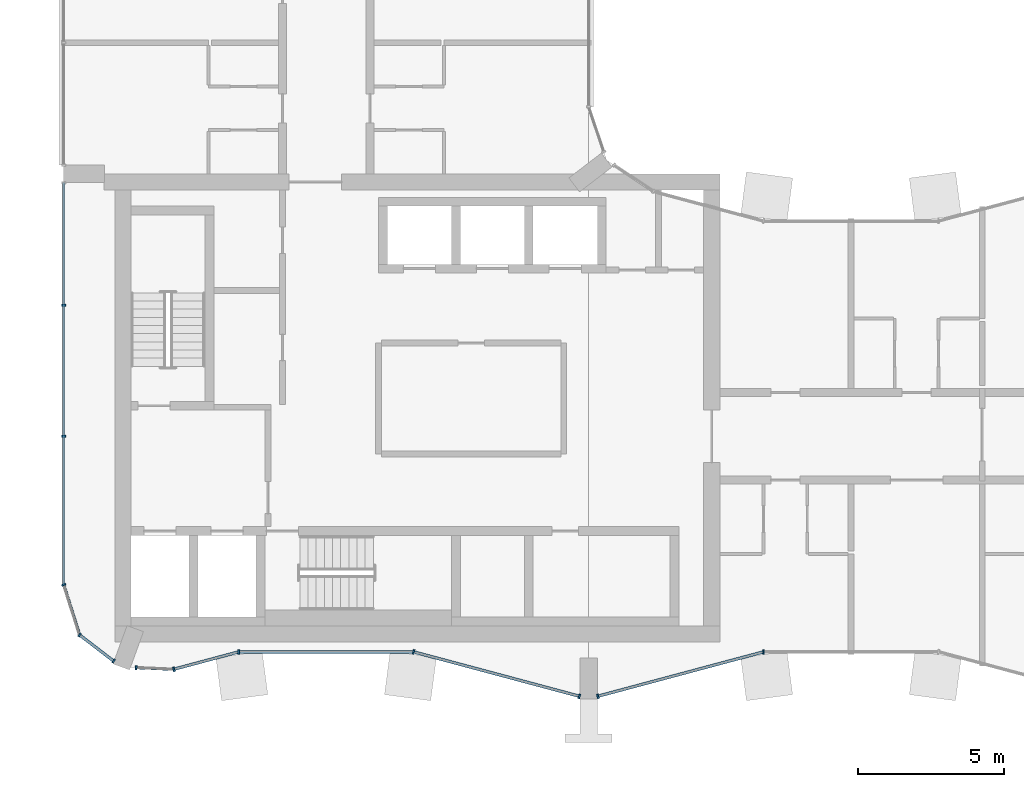
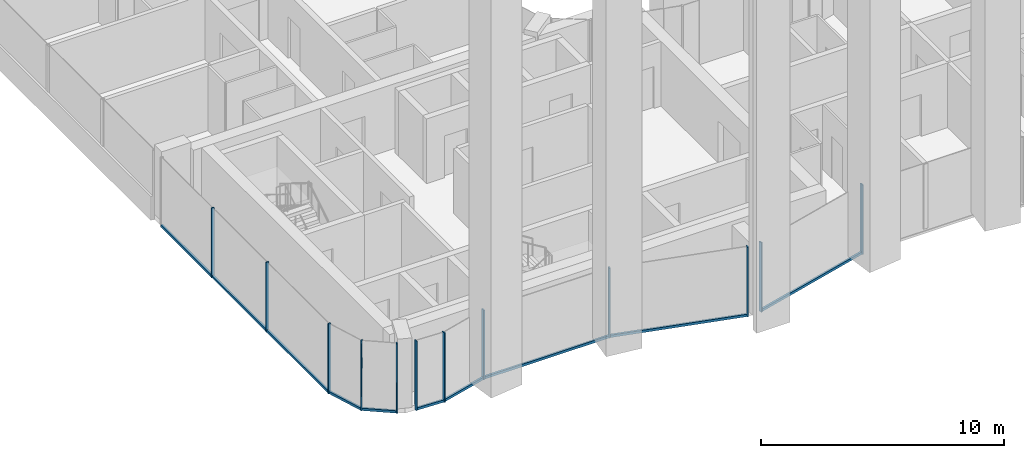
# One storey, part 2 of 17: 20 members, 9 elements without a shape of their own.
"""IFC4 building model written with IfcOpenShell, lengths in metres."""

from ifc_helpers import new_model, si_unit, direction, frame, origin, origin_2d, place, context, subcontext, project, spatial, rectangle, extrude, material, layer, layer_set, material_profile, profile_set, type_object, element, aggregate, save


model = new_model("IFC4")

# Units and contexts
model_context = context("Model", 3, precision=1e-05, world=origin(), true_north=direction((0.0, 1.0)))
body_context = subcontext(model_context, "Body", "Model", "MODEL_VIEW")
ifc_project = project(units=[si_unit("LENGTHUNIT", "METRE"), si_unit("AREAUNIT", "SQUARE_METRE"), si_unit("VOLUMEUNIT", "CUBIC_METRE"), si_unit("PLANEANGLEUNIT", "RADIAN"), si_unit("MASSUNIT", "GRAM", prefix="KILO")], contexts=[model_context])

# Site, building, storey
site_placement = place(None, origin())
site = spatial("IfcSite", under=ifc_project, at=site_placement, CompositionType="ELEMENT")
building_placement = place(site_placement, origin())
building = spatial("IfcBuilding", under=site, at=building_placement, Name="Plateau Cross Towers", CompositionType="ELEMENT")
storey_placement = place(building_placement, frame((0.0, 0.0, 190.89990234375)))
storey = spatial("IfcBuildingStorey", under=building, at=storey_placement, Name="L49", CompositionType="ELEMENT", Elevation=190.89990234375)

# Curtain wall, members
ifc_material_1 = material(Name="Dark low-iron glass", Category="glass")
ifc_layer_1 = layer(ifc_material_1, 0.239990234375)
ifc_layer_set_1 = layer_set([ifc_layer_1], Name="Dark low-iron glass")
curtain_wall_type_1 = type_object("IfcCurtainWallType", Name="Curtain wall flush unitised CW-B", PredefinedType="NOTDEFINED", material=ifc_layer_set_1)
curtain_wall_1_placement = place(storey_placement, origin())
curtain_wall_1 = element("IfcCurtainWall", 1, at=curtain_wall_1_placement, inside=storey, type_object=curtain_wall_type_1, Name="ENV/A/L49/A0_177", PredefinedType="NOTDEFINED")
ifc_material_2 = material(Name="Black anodised aluminium", Category="aluminium")
ifc_material_profile_1 = material_profile(ifc_material_2, rectangle(XDim=0.06005859375, YDim=0.139892578125, at=origin_2d()), Name="MULLION 60x140")
ifc_profile_set_1 = profile_set([ifc_material_profile_1], Name="Black anodised aluminium")
member_type_1 = type_object("IfcMemberType", Name="Mullion 60x140 flush unitised", PredefinedType="MULLION", material=ifc_profile_set_1)
member_1_placement = place(storey_placement, frame((0.0, 13.5, -0.25), z_axis=(0.0, 0.0, 1.0), x_axis=(0.0, -1.0, 0.0)))
member_1 = element("IfcMember", 2, at=member_1_placement, type_object=member_type_1, Name="CW-B mullion 2", PredefinedType="MULLION", context=body_context, shape_type="SweptSolid", body=[
    extrude(rectangle(XDim=0.06005859375, YDim=0.139892578125, at=origin_2d()), origin(), (0.0, 0.0, 1.0), 3.5),
])
member_2_placement = place(storey_placement, frame((0.0, 9.0, -0.25), z_axis=(0.0, 0.0, 1.0), x_axis=(0.0, -1.0, 0.0)))
member_2 = element("IfcMember", 3, at=member_2_placement, type_object=member_type_1, Name="CW-B mullion 3", PredefinedType="MULLION", context=body_context, shape_type="SweptSolid", body=[
    extrude(rectangle(XDim=0.06005859375, YDim=0.139892578125, at=origin_2d()), origin(), (0.0, 0.0, 1.0), 3.5),
])

# Curtain wall, member
curtain_wall_2_placement = place(storey_placement, origin())
curtain_wall_2 = element("IfcCurtainWall", 4, at=curtain_wall_2_placement, inside=storey, type_object=curtain_wall_type_1, Name="ENV/A/L49/A0_39", PredefinedType="NOTDEFINED")
member_3_placement = place(storey_placement, frame((0.0, 3.9091796875, -0.25), z_axis=(0.0, 0.0, 1.0), x_axis=(0.300686174994, -0.95372313811, 0.0)))
member_3 = element("IfcMember", 5, at=member_3_placement, type_object=member_type_1, Name="CW-B mullion 1", PredefinedType="MULLION", context=body_context, shape_type="SweptSolid", body=[
    extrude(rectangle(XDim=0.06005859375, YDim=0.139892578125, at=origin_2d()), origin(), (0.0, 0.0, 1.0), 3.5),
])

# Curtain wall, members
curtain_wall_3_placement = place(storey_placement, origin())
curtain_wall_3 = element("IfcCurtainWall", 6, at=curtain_wall_3_placement, inside=storey, type_object=curtain_wall_type_1, Name="ENV/A/L49/A5_22", PredefinedType="NOTDEFINED")
member_4_placement = place(storey_placement, frame((0.54248046875, 2.1884765625, -0.25), z_axis=(0.0, 0.0, 1.0), x_axis=(0.793315514529, -0.608810721331, 0.0)))
member_4 = element("IfcMember", 7, at=member_4_placement, type_object=member_type_1, Name="CW-B mullion 1", PredefinedType="MULLION", context=body_context, shape_type="SweptSolid", body=[
    extrude(rectangle(XDim=0.06005859375, YDim=0.139892578125, at=origin_2d()), origin(), (0.0, 0.0, 1.0), 3.5),
])
member_5_placement = place(storey_placement, frame((1.709716796875, 1.292724609375, -0.25), z_axis=(0.0, 0.0, 1.0), x_axis=(0.793315514529, -0.608810721331, 0.0)))
member_5 = element("IfcMember", 8, at=member_5_placement, type_object=member_type_1, Name="CW-B mullion 2", PredefinedType="MULLION", context=body_context, shape_type="SweptSolid", body=[
    extrude(rectangle(XDim=0.06005859375, YDim=0.139892578125, at=origin_2d()), origin(), (0.0, 0.0, 1.0), 3.5),
])

# Curtain wall, member
curtain_wall_4_placement = place(storey_placement, origin())
curtain_wall_4 = element("IfcCurtainWall", 9, at=curtain_wall_4_placement, inside=storey, type_object=curtain_wall_type_1, Name="ENV/A/L49/A25_11", PredefinedType="NOTDEFINED")
member_6_placement = place(storey_placement, frame((2.483642578125, 1.06787109375, -0.25), z_axis=(0.0, 0.0, 1.0), x_axis=(0.999043701491, -0.043722791671, 0.0)))
member_6 = element("IfcMember", 10, at=member_6_placement, type_object=member_type_1, Name="CW-B mullion 1", PredefinedType="MULLION", context=body_context, shape_type="SweptSolid", body=[
    extrude(rectangle(XDim=0.06005859375, YDim=0.139892578125, at=origin_2d()), origin(), (0.0, 0.0, 1.0), 3.5),
])

ifc_layer_2 = layer(ifc_material_1, 0.260009765625)
ifc_layer_set_2 = layer_set([ifc_layer_2], Name="Dark low-iron glass")
curtain_wall_type_2 = type_object("IfcCurtainWallType", Name="Curtain wall fluted unitised CW-A", PredefinedType="NOTDEFINED", material=ifc_layer_set_2)
curtain_wall_5_placement = place(storey_placement, origin())
curtain_wall_5 = element("IfcCurtainWall", 11, at=curtain_wall_5_placement, inside=storey, type_object=curtain_wall_type_2, Name="ENV/A/L49/A38_10", PredefinedType="NOTDEFINED")
ifc_material_profile_2 = material_profile(ifc_material_2, rectangle(XDim=0.06005859375, YDim=0.159912109375, at=origin_2d()), Name="MULLION 60x160")
ifc_profile_set_2 = profile_set([ifc_material_profile_2], Name="Black anodised aluminium")
member_type_2 = type_object("IfcMemberType", Name="Mullion 60x160 fluted unitised", PredefinedType="MULLION", material=ifc_profile_set_2)
member_7_placement = place(storey_placement, frame((3.776123046875, 1.01123046875, -0.25), z_axis=(0.0, 0.0, 1.0), x_axis=(0.965957962328, 0.258699081978, 0.0)))
member_7 = element("IfcMember", 12, at=member_7_placement, type_object=member_type_2, Name="CW-A mullion 1", PredefinedType="MULLION", context=body_context, shape_type="SweptSolid", body=[
    extrude(rectangle(XDim=0.06005859375, YDim=0.159912109375, at=origin_2d()), origin(), (0.0, 0.0, 1.0), 3.5),
])

curtain_wall_6_placement = place(storey_placement, origin())
curtain_wall_6 = element("IfcCurtainWall", 13, at=curtain_wall_6_placement, inside=storey, type_object=curtain_wall_type_2, Name="ENV/A/L49/A60_16", PredefinedType="NOTDEFINED")
member_8_placement = place(storey_placement, frame((6.0, 1.60693359375, -0.25), z_axis=(0.0, 0.0, 1.0), x_axis=(1.0, 0.0, 0.0)))
member_8 = element("IfcMember", 14, at=member_8_placement, type_object=member_type_2, Name="CW-A mullion 1", PredefinedType="MULLION", context=body_context, shape_type="SweptSolid", body=[
    extrude(rectangle(XDim=0.06005859375, YDim=0.159912109375, at=origin_2d()), origin(), (0.0, 0.0, 1.0), 3.5),
])

# Curtain wall, members
curtain_wall_7_placement = place(storey_placement, origin())
curtain_wall_7 = element("IfcCurtainWall", 15, at=curtain_wall_7_placement, inside=storey, type_object=curtain_wall_type_2, Name="ENV/A/L49/A120_16", PredefinedType="NOTDEFINED")
member_9_placement = place(storey_placement, frame((12.0, 1.60693359375, -0.25), z_axis=(0.0, 0.0, 1.0), x_axis=(0.965957983404, -0.258699003279, 0.0)))
member_9 = element("IfcMember", 16, at=member_9_placement, type_object=member_type_2, Name="CW-A mullion 1", PredefinedType="MULLION", context=body_context, shape_type="SweptSolid", body=[
    extrude(rectangle(XDim=0.06005859375, YDim=0.159912109375, at=origin_2d()), origin(), (0.0, 0.0, 1.0), 3.5),
])
member_10_placement = place(storey_placement, frame((17.68212890625, 0.085205078125, -0.25), z_axis=(0.0, 0.0, 1.0), x_axis=(0.965957983404, -0.258699003279, 0.0)))
member_10 = element("IfcMember", 17, at=member_10_placement, type_object=member_type_2, Name="CW-A mullion 2", PredefinedType="MULLION", context=body_context, shape_type="SweptSolid", body=[
    extrude(rectangle(XDim=0.06005859375, YDim=0.159912109375, at=origin_2d()), origin(), (0.0, 0.0, 1.0), 3.5),
])

# Curtain wall, member
curtain_wall_8_placement = place(storey_placement, origin())
curtain_wall_8 = element("IfcCurtainWall", 18, at=curtain_wall_8_placement, inside=storey, type_object=curtain_wall_type_2, Name="ENV/A/L49/A183_1", PredefinedType="NOTDEFINED")
member_11_placement = place(storey_placement, frame((18.31787109375, 0.085205078125, -0.25), z_axis=(0.0, 0.0, 1.0), x_axis=(0.965957983404, 0.258699003279, 0.0)))
member_11 = element("IfcMember", 19, at=member_11_placement, type_object=member_type_2, Name="CW-A mullion 1", PredefinedType="MULLION", context=body_context, shape_type="SweptSolid", body=[
    extrude(rectangle(XDim=0.06005859375, YDim=0.159912109375, at=origin_2d()), origin(), (0.0, 0.0, 1.0), 3.5),
])

curtain_wall_9_placement = place(storey_placement, origin())
curtain_wall_9 = element("IfcCurtainWall", 20, at=curtain_wall_9_placement, inside=storey, type_object=curtain_wall_type_2, Name="ENV/A/L49/A240_16", PredefinedType="NOTDEFINED")
member_12_placement = place(storey_placement, frame((24.0, 1.60693359375, -0.25), z_axis=(0.0, 0.0, 1.0), x_axis=(1.0, 0.0, 0.0)))
member_12 = element("IfcMember", 21, at=member_12_placement, type_object=member_type_2, Name="CW-A mullion 1", PredefinedType="MULLION", context=body_context, shape_type="SweptSolid", body=[
    extrude(rectangle(XDim=0.06005859375, YDim=0.159912109375, at=origin_2d()), origin(), (0.0, 0.0, 1.0), 3.5),
])
aggregate(curtain_wall_9, [member_12])

# Member
ifc_material_profile_3 = material_profile(ifc_material_2, rectangle(XDim=0.10009765625, YDim=0.1201171875, at=origin_2d()), Name="TRANSOM 100x120")
ifc_profile_set_3 = profile_set([ifc_material_profile_3], Name="Black anodised aluminium")
member_type_3 = type_object("IfcMemberType", Name="Transom 100x120 flush unitised", PredefinedType="USERDEFINED", material=ifc_profile_set_3)
member_13_placement = place(storey_placement, frame((0.0, 17.699951171875, -0.18994140625), z_axis=(0.0, -1.0, 0.0), x_axis=(1.0, 0.0, 0.0)))
member_13 = element("IfcMember", 22, at=member_13_placement, type_object=member_type_3, Name="CW-B transom", ObjectType="TRANSOM", PredefinedType="USERDEFINED", context=body_context, shape_type="SweptSolid", body=[
    extrude(rectangle(XDim=0.10009765625, YDim=0.1201171875, at=origin_2d()), origin(), (0.0, 0.0, 1.0), 13.790771484375),
])

aggregate(curtain_wall_1, [member_1, member_2, member_13])

member_14_placement = place(storey_placement, frame((0.0, 3.9091796875, -0.18994140625), z_axis=(0.30067799945, -0.953725715626, 0.0), x_axis=(0.953725715626, 0.30067799945, 0.0)))
member_14 = element("IfcMember", 23, at=member_14_placement, type_object=member_type_3, Name="CW-B transom", ObjectType="TRANSOM", PredefinedType="USERDEFINED", context=body_context, shape_type="SweptSolid", body=[
    extrude(rectangle(XDim=0.10009765625, YDim=0.1201171875, at=origin_2d()), origin(), (0.0, 0.0, 1.0), 1.80419921875),
])

aggregate(curtain_wall_2, [member_3, member_14])

member_15_placement = place(storey_placement, frame((0.54248046875, 2.1884765625, -0.18994140625), z_axis=(0.793320508571, -0.608804213751, 0.0), x_axis=(0.608804213751, 0.793320508571, 0.0)))
member_15 = element("IfcMember", 24, at=member_15_placement, type_object=member_type_3, Name="CW-B transom", ObjectType="TRANSOM", PredefinedType="USERDEFINED", context=body_context, shape_type="SweptSolid", body=[
    extrude(rectangle(XDim=0.10009765625, YDim=0.1201171875, at=origin_2d()), origin(), (0.0, 0.0, 1.0), 1.471435546875),
])

aggregate(curtain_wall_3, [member_4, member_5, member_15])

member_16_placement = place(storey_placement, frame((2.483642578125, 1.06787109375, -0.18994140625), z_axis=(0.999041144614, -0.043781175963, 0.0), x_axis=(0.043781175963, 0.999041144614, 0.0)))
member_16 = element("IfcMember", 25, at=member_16_placement, type_object=member_type_3, Name="CW-B transom", ObjectType="TRANSOM", PredefinedType="USERDEFINED", context=body_context, shape_type="SweptSolid", body=[
    extrude(rectangle(XDim=0.10009765625, YDim=0.1201171875, at=origin_2d()), origin(), (0.0, 0.0, 1.0), 1.293701171875),
])

aggregate(curtain_wall_4, [member_6, member_16])

ifc_material_profile_4 = material_profile(ifc_material_2, rectangle(XDim=0.10009765625, YDim=0.1201171875, at=origin_2d()), Name="TRANSOM 100x120")
ifc_profile_set_4 = profile_set([ifc_material_profile_4], Name="Black anodised aluminium")
member_type_4 = type_object("IfcMemberType", Name="Transom 100x120 fluted unitised", PredefinedType="USERDEFINED", material=ifc_profile_set_4)
member_17_placement = place(storey_placement, frame((3.776123046875, 1.01123046875, -0.18994140625), z_axis=(0.965945685136, 0.258744919501, 0.0), x_axis=(-0.258744919501, 0.965945685136, 0.0)))
member_17 = element("IfcMember", 26, at=member_17_placement, type_object=member_type_4, Name="CW-A transom", ObjectType="TRANSOM", PredefinedType="USERDEFINED", context=body_context, shape_type="SweptSolid", body=[
    extrude(rectangle(XDim=0.10009765625, YDim=0.1201171875, at=origin_2d()), origin(), (0.0, 0.0, 1.0), 2.30224609375),
])

aggregate(curtain_wall_5, [member_7, member_17])

member_18_placement = place(storey_placement, frame((6.0, 1.60693359375, -0.18994140625), z_axis=(1.0, 0.0, 0.0), x_axis=(0.0, 1.0, 0.0)))
member_18 = element("IfcMember", 27, at=member_18_placement, type_object=member_type_4, Name="CW-A transom", ObjectType="TRANSOM", PredefinedType="USERDEFINED", context=body_context, shape_type="SweptSolid", body=[
    extrude(rectangle(XDim=0.10009765625, YDim=0.1201171875, at=origin_2d()), origin(), (0.0, 0.0, 1.0), 6.0),
])

aggregate(curtain_wall_6, [member_8, member_18])

member_19_placement = place(storey_placement, frame((12.0, 1.60693359375, -0.18994140625), z_axis=(0.965959534794, -0.258693210465, 0.0), x_axis=(0.258693210465, 0.965959534794, 0.0)))
member_19 = element("IfcMember", 28, at=member_19_placement, type_object=member_type_4, Name="CW-A transom", ObjectType="TRANSOM", PredefinedType="USERDEFINED", context=body_context, shape_type="SweptSolid", body=[
    extrude(rectangle(XDim=0.10009765625, YDim=0.1201171875, at=origin_2d()), origin(), (0.0, 0.0, 1.0), 5.88232421875),
])

aggregate(curtain_wall_7, [member_9, member_10, member_19])

member_20_placement = place(storey_placement, frame((18.31787109375, 0.085205078125, -0.18994140625), z_axis=(0.965959534794, 0.258693210465, 0.0), x_axis=(-0.258693210465, 0.965959534794, 0.0)))
member_20 = element("IfcMember", 29, at=member_20_placement, type_object=member_type_4, Name="CW-A transom", ObjectType="TRANSOM", PredefinedType="USERDEFINED", context=body_context, shape_type="SweptSolid", body=[
    extrude(rectangle(XDim=0.10009765625, YDim=0.1201171875, at=origin_2d()), origin(), (0.0, 0.0, 1.0), 5.88232421875),
])

aggregate(curtain_wall_8, [member_11, member_20])

save(model, "model.ifc")
